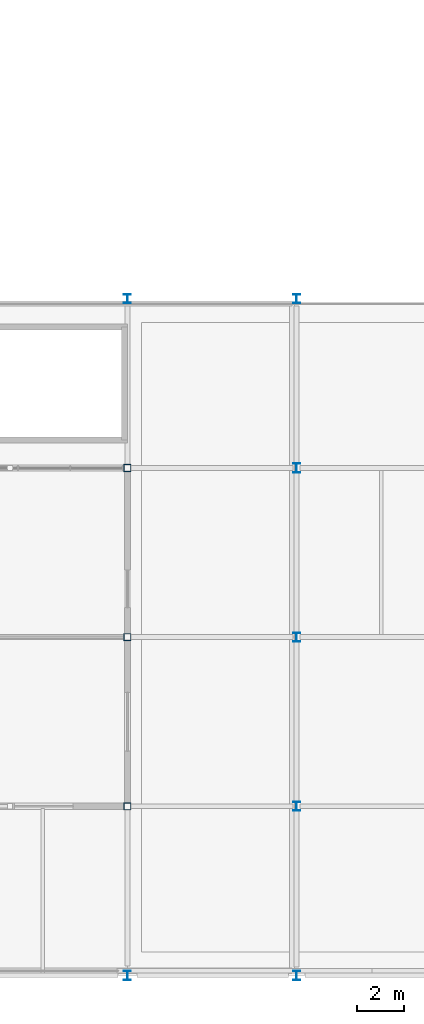
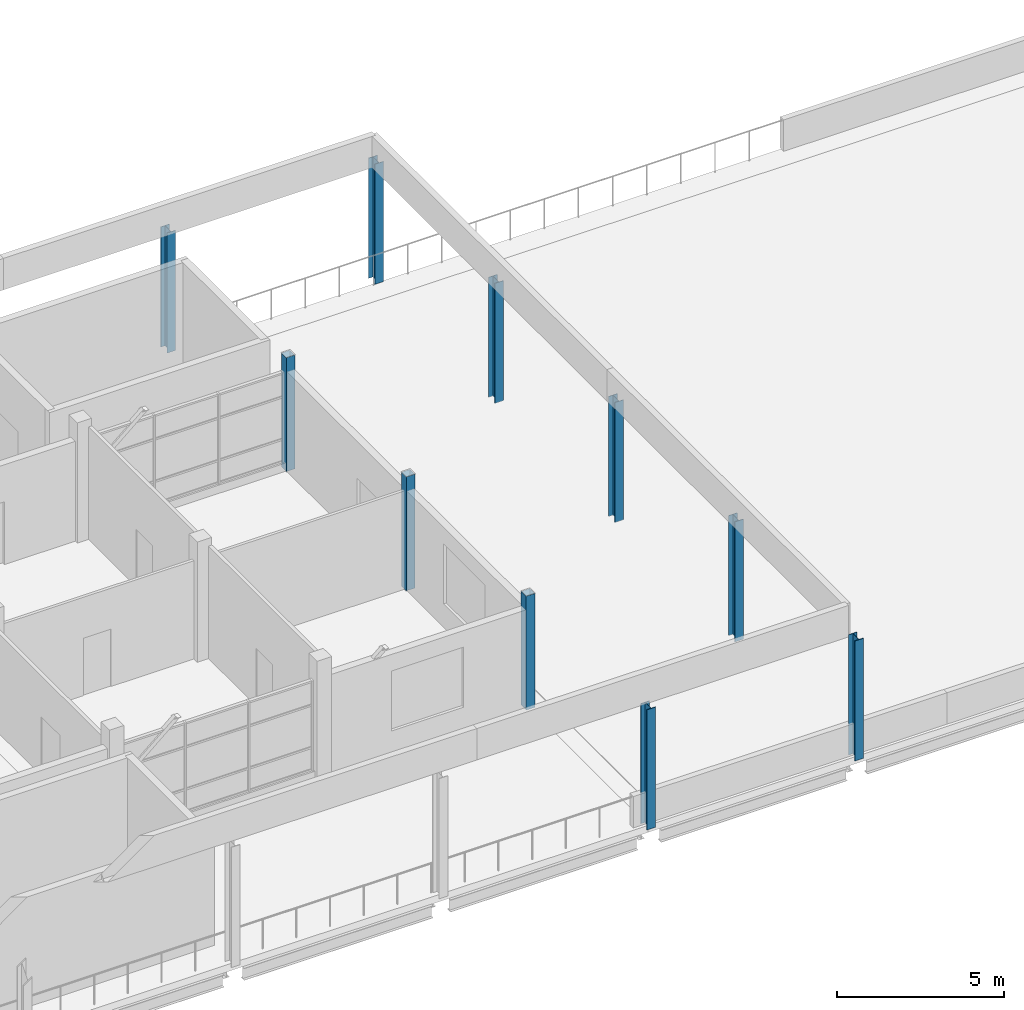
# One storey, part 4 of 32: 10 columns.
"""IFC4 building model written with IfcOpenShell, lengths in metres."""

from ifc_helpers import new_model, si_unit, direction, frame, origin, origin_2d, place, context, subcontext, project, spatial, hollow_rectangle, i_section, extrude, material, material_profile, profile_set, type_object, element, save


model = new_model("IFC4")

# Units and contexts
model_context = context("Model", 3, precision=1e-05, world=origin(), true_north=direction((0.0, 1.0)))
body_context = subcontext(model_context, "Body", "Model", "MODEL_VIEW")
ifc_project = project(units=[si_unit("LENGTHUNIT", "METRE"), si_unit("AREAUNIT", "SQUARE_METRE"), si_unit("VOLUMEUNIT", "CUBIC_METRE"), si_unit("PLANEANGLEUNIT", "RADIAN"), si_unit("MASSUNIT", "GRAM", prefix="KILO")], contexts=[model_context])

# Site, building, storey
site_placement = place(None, origin())
site = spatial("IfcSite", under=ifc_project, at=site_placement, CompositionType="ELEMENT")
building_placement = place(site_placement, origin())
building = spatial("IfcBuilding", under=site, at=building_placement, Name="Sardonyx Promenade Sports Hall", CompositionType="ELEMENT")
storey_placement = place(building_placement, frame((0.0, 0.0, 20.39990234375)))
storey = spatial("IfcBuildingStorey", under=building, at=storey_placement, Name="L04", CompositionType="ELEMENT", Elevation=20.39990234375)

# Columns
ifc_material_1 = material(Name="Steel S355JR", Category="steel")
ifc_material_profile_1 = material_profile(ifc_material_1, i_section(OverallWidth=0.300048828125, OverallDepth=0.389892578125, WebThickness=0.010986328125, FlangeThickness=0.01904296875, at=origin_2d()))
ifc_profile_set_1 = profile_set([ifc_material_profile_1], Name="Steel S355JR")
column_type_1 = type_object("IfcColumnType", Name="Col_Ext_HEA400", PredefinedType="COLUMN", material=ifc_profile_set_1)
for number, where, z_axis, x_axis, name in (
    (1, (64.800048828125, 0.0, 0.0), (0.0, 0.0, 1.0), (1.0, 0.0, 0.0), "Column CE07 L04 (64.8,0.0)"),
    (2, (64.800048828125, 28.800048828125, 0.0), (0.0, 0.0, 1.0), (1.0, 0.0, 0.0), "Column CE07 L04 (64.8,28.8)"),
    (3, (72.0, 0.0, 0.0), (0.0, 0.0, 1.0), (1.0, 0.0, 0.0), "Column CE07 L04 (72.0,0.0)"),
    (4, (72.0, 7.199951171875, 0.0), (0.0, 0.0, 1.0), (1.0, 0.0, 0.0), "Column CE07 L04 (72.0,7.2)"),
    (5, (72.0, 14.39990234375, 0.0), (0.0, 0.0, 1.0), (1.0, 0.0, 0.0), "Column CE07 L04 (72.0,14.4)"),
    (6, (72.0, 21.60009765625, 0.0), (0.0, 0.0, 1.0), (1.0, 0.0, 0.0), "Column CE07 L04 (72.0,21.6)"),
    (7, (72.0, 28.800048828125, 0.0), (0.0, 0.0, 1.0), (1.0, 0.0, 0.0), "Column CE07 L04 (72.0,28.8)"),
):
    element("IfcColumn", number, at=place(storey_placement, frame(where, z_axis=z_axis, x_axis=x_axis)), inside=storey, type_object=column_type_1, Name=name, PredefinedType="COLUMN", context=body_context, shape_type="SweptSolid", body=[
        extrude(i_section(OverallWidth=0.300048828125, OverallDepth=0.389892578125, WebThickness=0.010986328125, FlangeThickness=0.01904296875, at=origin_2d()), origin(), (0.0, 0.0, 1.0), 4.400146484375),
    ])
ifc_material_2 = material(Name="Steel S355JR", Category="steel")
ifc_material_profile_2 = material_profile(ifc_material_2, hollow_rectangle(XDim=0.300048828125, YDim=0.300048828125, WallThickness=0.012451171875, at=origin_2d()))
ifc_profile_set_2 = profile_set([ifc_material_profile_2], Name="Steel S355JR")
column_type_2 = type_object("IfcColumnType", Name="Col_Int_SHS300", PredefinedType="COLUMN", material=ifc_profile_set_2)
for number, where, z_axis, x_axis, name in (
    (8, (64.800048828125, 7.199951171875, 0.0), (0.0, 0.0, 1.0), (1.0, 0.0, 0.0), "Column CI09 L04 (64.8,7.2)"),
    (9, (64.800048828125, 14.39990234375, 0.0), (0.0, 0.0, 1.0), (1.0, 0.0, 0.0), "Column CI09 L04 (64.8,14.4)"),
    (10, (64.800048828125, 21.60009765625, 0.0), (0.0, 0.0, 1.0), (1.0, 0.0, 0.0), "Column CI09 L04 (64.8,21.6)"),
):
    element("IfcColumn", number, at=place(storey_placement, frame(where, z_axis=z_axis, x_axis=x_axis)), inside=storey, type_object=column_type_2, Name=name, PredefinedType="COLUMN", context=body_context, shape_type="SweptSolid", body=[
        extrude(hollow_rectangle(XDim=0.300048828125, YDim=0.300048828125, WallThickness=0.012451171875, at=origin_2d()), origin(), (0.0, 0.0, 1.0), 4.170166015625),
    ])

save(model, "model.ifc")
